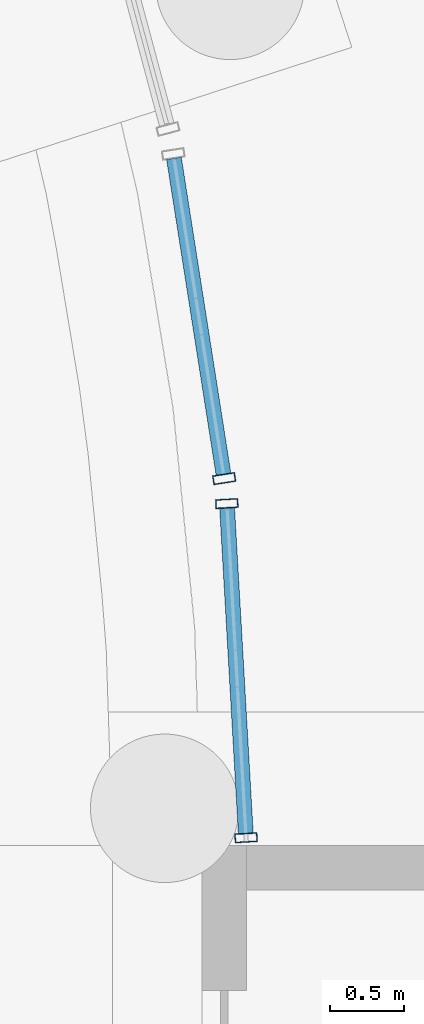
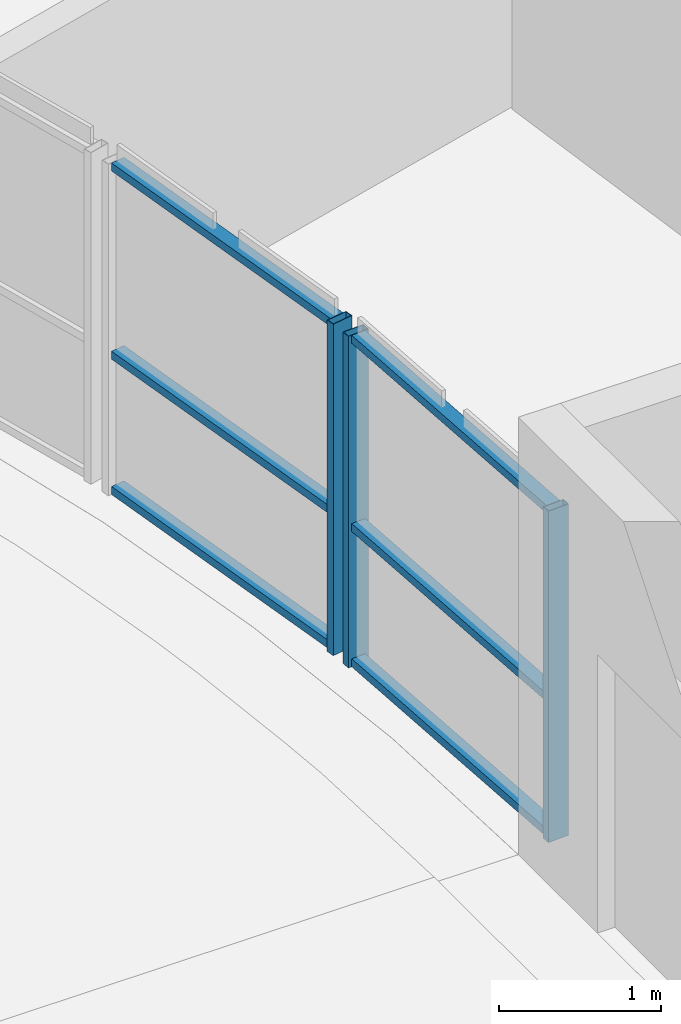
# One storey, part 59 of 130: 9 members, 2 elements without a shape of their own.
"""IFC4 building model written with IfcOpenShell, lengths in metres."""

from ifc_helpers import new_model, si_unit, direction, frame, origin, origin_2d, place, context, subcontext, project, spatial, hollow_rectangle, extrude, material, material_profile, profile_set, type_object, element, aggregate, save


model = new_model("IFC4")

# Units and contexts
model_context = context("Model", 3, precision=1e-05, world=origin(), true_north=direction((0.0, 1.0)))
body_context = subcontext(model_context, "Body", "Model", "MODEL_VIEW")
ifc_project = project(units=[si_unit("LENGTHUNIT", "METRE"), si_unit("AREAUNIT", "SQUARE_METRE"), si_unit("VOLUMEUNIT", "CUBIC_METRE"), si_unit("PLANEANGLEUNIT", "RADIAN"), si_unit("MASSUNIT", "GRAM", prefix="KILO")], contexts=[model_context])

# Site, building, storey
site_placement = place(None, origin())
site = spatial("IfcSite", under=ifc_project, at=site_placement, CompositionType="ELEMENT")
building_placement = place(site_placement, origin())
building = spatial("IfcBuilding", under=site, at=building_placement, Name="Parallax Yard Mobility Hub", CompositionType="ELEMENT")
storey_placement = place(building_placement, origin())
storey = spatial("IfcBuildingStorey", under=building, at=storey_placement, Name="L00", CompositionType="ELEMENT", Elevation=0.0)

# Curtain wall, member
ifc_material_1 = material(Name="Aluminium and glass curtain wall", Category="aluminium")
curtain_wall_type = type_object("IfcCurtainWallType", Name="Curtain wall, aluminium stick system", PredefinedType="NOTDEFINED", material=ifc_material_1)
curtain_wall_1_placement = place(storey_placement, origin())
curtain_wall_1 = element("IfcCurtainWall", 1, at=curtain_wall_1_placement, inside=storey, type_object=curtain_wall_type, Name="Curtain wall CW37 level L00 bay 22.2", PredefinedType="NOTDEFINED")
ifc_material_2 = material(Name="Aluminium 6063-T6 anodised", Category="aluminium")
ifc_material_profile_1 = material_profile(ifc_material_2, hollow_rectangle(XDim=0.14990234375, YDim=0.06005859375, WallThickness=0.00390625, at=origin_2d()), Name="RHS 60x150x4")
ifc_profile_set_1 = profile_set([ifc_material_profile_1], Name="Aluminium 6063-T6 anodised")
member_type_1 = type_object("IfcMemberType", Name="Curtain wall mullion RHS 60x150x4", PredefinedType="MULLION", material=ifc_profile_set_1)
member_1_placement = place(storey_placement, frame((195.150390625, 92.469482421875, 0.0), z_axis=(0.0, 0.0, 1.0), x_axis=(0.987924413348, 0.154936611265, 0.0)))
member_1 = element("IfcMember", 2, at=member_1_placement, type_object=member_type_1, Name="CW37 mullion 2", PredefinedType="MULLION", context=body_context, shape_type="SweptSolid", body=[
    extrude(hollow_rectangle(XDim=0.14990234375, YDim=0.06005859375, WallThickness=0.00390625, at=origin_2d()), origin(), (0.0, 0.0, 1.0), 2.5),
])

# Curtain wall, members
curtain_wall_2_placement = place(storey_placement, origin())
curtain_wall_2 = element("IfcCurtainWall", 3, at=curtain_wall_2_placement, inside=storey, type_object=curtain_wall_type, Name="Curtain wall CW38 level L00 bay 22.3", PredefinedType="NOTDEFINED")
member_2_placement = place(storey_placement, frame((195.16845703125, 92.30126953125, 0.0), z_axis=(0.0, 0.0, 1.0), x_axis=(0.998353204377, 0.057366186116, 0.0)))
member_2 = element("IfcMember", 4, at=member_2_placement, type_object=member_type_1, Name="CW38 mullion 1", PredefinedType="MULLION", context=body_context, shape_type="SweptSolid", body=[
    extrude(hollow_rectangle(XDim=0.14990234375, YDim=0.06005859375, WallThickness=0.00390625, at=origin_2d()), origin(), (0.0, 0.0, 1.0), 2.5),
])
member_3_placement = place(storey_placement, frame((195.297607421875, 90.0517578125, 0.0), z_axis=(0.0, 0.0, 1.0), x_axis=(0.998353204377, 0.057366186116, 0.0)))
member_3 = element("IfcMember", 5, at=member_3_placement, type_object=member_type_1, Name="CW38 mullion 2", PredefinedType="MULLION", context=body_context, shape_type="SweptSolid", body=[
    extrude(hollow_rectangle(XDim=0.14990234375, YDim=0.06005859375, WallThickness=0.00390625, at=origin_2d()), origin(), (0.0, 0.0, 1.0), 2.5),
])

# Member
ifc_material_profile_2 = material_profile(ifc_material_2, hollow_rectangle(XDim=0.10009765625, YDim=0.06005859375, WallThickness=0.00390625, at=origin_2d()), Name="RHS 60x100x4")
ifc_profile_set_2 = profile_set([ifc_material_profile_2], Name="Aluminium 6063-T6 anodised")
member_type_2 = type_object("IfcMemberType", Name="Curtain wall transom RHS 60x100x4", PredefinedType="USERDEFINED", material=ifc_profile_set_2)
member_4_placement = place(storey_placement, frame((194.812255859375, 94.625732421875, 0.030029296875), z_axis=(0.154937380465, -0.987924292714, 0.0), x_axis=(0.987924292714, 0.154937380465, 0.0)))
member_4 = element("IfcMember", 6, at=member_4_placement, type_object=member_type_2, Name="CW37 transom 1.1", ObjectType="TRANSOM", PredefinedType="USERDEFINED", context=body_context, shape_type="SweptSolid", body=[
    extrude(hollow_rectangle(XDim=0.10009765625, YDim=0.06005859375, WallThickness=0.00390625, at=origin_2d()), origin(), (0.0, 0.0, 1.0), 2.15234375),
])

member_5_placement = place(storey_placement, frame((194.812255859375, 94.625732421875, 1.050048828125), z_axis=(0.154937380465, -0.987924292714, 0.0), x_axis=(0.987924292714, 0.154937380465, 0.0)))
member_5 = element("IfcMember", 7, at=member_5_placement, type_object=member_type_2, Name="CW37 transom 1.2", ObjectType="TRANSOM", PredefinedType="USERDEFINED", context=body_context, shape_type="SweptSolid", body=[
    extrude(hollow_rectangle(XDim=0.10009765625, YDim=0.06005859375, WallThickness=0.00390625, at=origin_2d()), origin(), (0.0, 0.0, 1.0), 2.15234375),
])

member_6_placement = place(storey_placement, frame((194.812255859375, 94.625732421875, 2.469970703125), z_axis=(0.154937380465, -0.987924292714, 0.0), x_axis=(0.987924292714, 0.154937380465, 0.0)))
member_6 = element("IfcMember", 8, at=member_6_placement, type_object=member_type_2, Name="CW37 transom 1.3", ObjectType="TRANSOM", PredefinedType="USERDEFINED", context=body_context, shape_type="SweptSolid", body=[
    extrude(hollow_rectangle(XDim=0.10009765625, YDim=0.06005859375, WallThickness=0.00390625, at=origin_2d()), origin(), (0.0, 0.0, 1.0), 2.15234375),
])

aggregate(curtain_wall_1, [member_1, member_4, member_5, member_6])

member_7_placement = place(storey_placement, frame((195.170166015625, 92.271240234375, 0.030029296875), z_axis=(0.057331948386, -0.998355171116, 0.0), x_axis=(0.998355171116, 0.057331948386, 0.0)))
member_7 = element("IfcMember", 9, at=member_7_placement, type_object=member_type_2, Name="CW38 transom 1.1", ObjectType="TRANSOM", PredefinedType="USERDEFINED", context=body_context, shape_type="SweptSolid", body=[
    extrude(hollow_rectangle(XDim=0.10009765625, YDim=0.06005859375, WallThickness=0.00390625, at=origin_2d()), origin(), (0.0, 0.0, 1.0), 2.193115234375),
])

member_8_placement = place(storey_placement, frame((195.170166015625, 92.271240234375, 1.050048828125), z_axis=(0.057331948386, -0.998355171116, 0.0), x_axis=(0.998355171116, 0.057331948386, 0.0)))
member_8 = element("IfcMember", 10, at=member_8_placement, type_object=member_type_2, Name="CW38 transom 1.2", ObjectType="TRANSOM", PredefinedType="USERDEFINED", context=body_context, shape_type="SweptSolid", body=[
    extrude(hollow_rectangle(XDim=0.10009765625, YDim=0.06005859375, WallThickness=0.00390625, at=origin_2d()), origin(), (0.0, 0.0, 1.0), 2.193115234375),
])

member_9_placement = place(storey_placement, frame((195.170166015625, 92.271240234375, 2.469970703125), z_axis=(0.057331948386, -0.998355171116, 0.0), x_axis=(0.998355171116, 0.057331948386, 0.0)))
member_9 = element("IfcMember", 11, at=member_9_placement, type_object=member_type_2, Name="CW38 transom 1.3", ObjectType="TRANSOM", PredefinedType="USERDEFINED", context=body_context, shape_type="SweptSolid", body=[
    extrude(hollow_rectangle(XDim=0.10009765625, YDim=0.06005859375, WallThickness=0.00390625, at=origin_2d()), origin(), (0.0, 0.0, 1.0), 2.193115234375),
])

aggregate(curtain_wall_2, [member_2, member_3, member_7, member_8, member_9])

save(model, "model.ifc")
